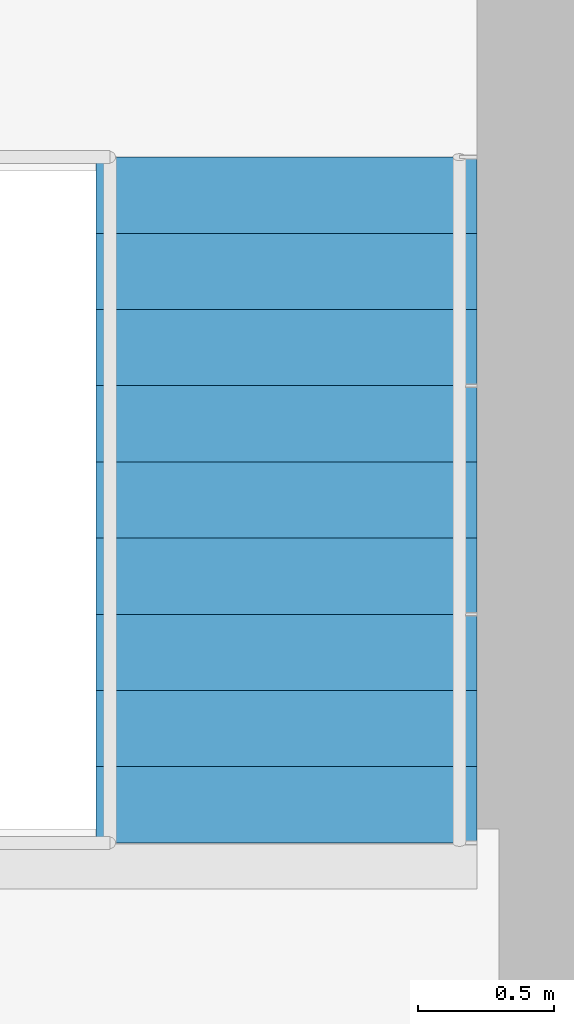
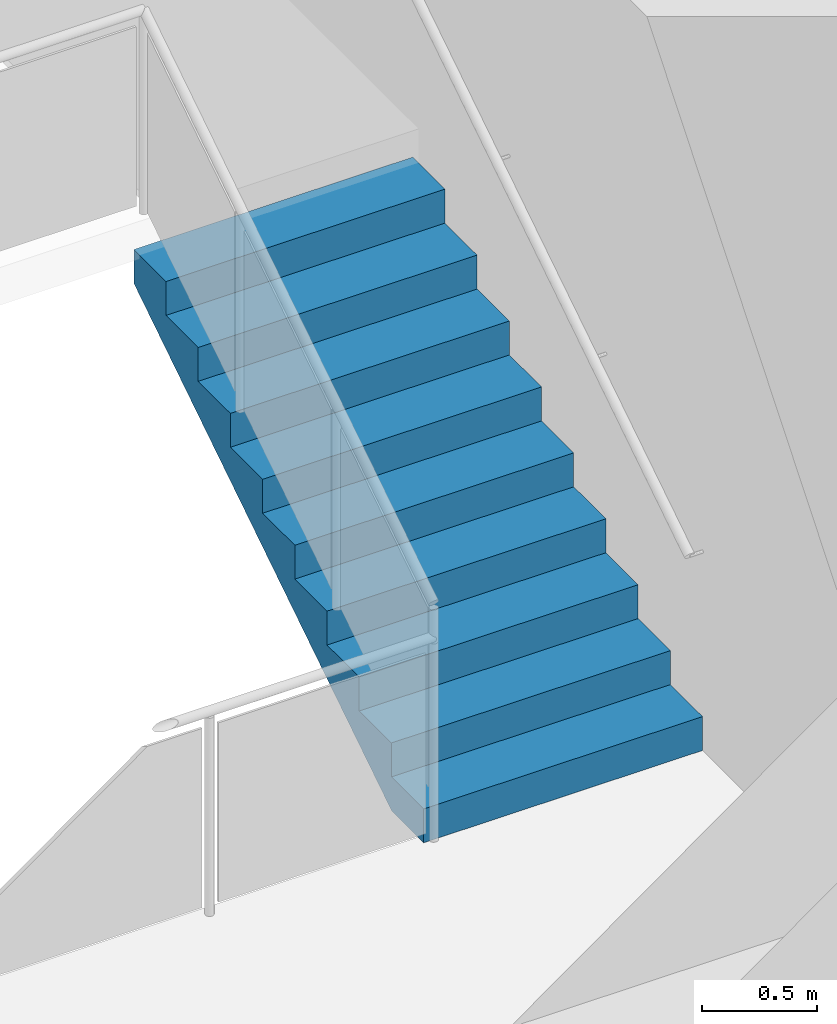
# One storey, part 13 of 15: 1 stair flight, 1 element without a shape of its own.
"""IFC4 building model written with IfcOpenShell, lengths in metres."""

from ifc_helpers import new_model, si_unit, direction, frame, origin, place, context, subcontext, project, spatial, polyline, outline, extrude, material, type_object, element, aggregate, save


model = new_model("IFC4")

# Units and contexts
model_context = context("Model", 3, precision=1e-05, world=origin(), true_north=direction((0.0, 1.0)))
body_context = subcontext(model_context, "Body", "Model", "MODEL_VIEW")
ifc_project = project(units=[si_unit("LENGTHUNIT", "METRE"), si_unit("AREAUNIT", "SQUARE_METRE"), si_unit("VOLUMEUNIT", "CUBIC_METRE"), si_unit("PLANEANGLEUNIT", "RADIAN"), si_unit("MASSUNIT", "GRAM", prefix="KILO")], contexts=[model_context])

# Site, building, storey
site_placement = place(None, origin())
site = spatial("IfcSite", under=ifc_project, at=site_placement, CompositionType="ELEMENT")
building_placement = place(site_placement, origin())
building = spatial("IfcBuilding", under=site, at=building_placement, Name="Torre Alcanfor", CompositionType="ELEMENT")
storey_placement = place(building_placement, frame((0.0, 0.0, 119.699951171875)))
storey = spatial("IfcBuildingStorey", under=building, at=storey_placement, Name="L30", CompositionType="ELEMENT", Elevation=119.699951171875)

# Stair, stair flight
ifc_material_1 = material(Name="Concrete f'c 35 MPa", Category="concrete")
stair_type = type_object("IfcStairType", Name="Exit stair S2 1400 wide", PredefinedType="HALF_TURN_STAIR", material=ifc_material_1)
stair_placement = place(storey_placement, origin())
stair = element("IfcStair", 1, at=stair_placement, inside=storey, type_object=stair_type, Name="Stair S2 L30 to L31", PredefinedType="HALF_TURN_STAIR")
ifc_material_2 = material(Name="Concrete f'c 35 MPa", Category="concrete")
stair_flight_type = type_object("IfcStairFlightType", Name="Stair flight 1400", PredefinedType="STRAIGHT", material=ifc_material_2)
stair_flight_placement = place(storey_placement, frame((36.64990234375, 31.0, 0.0), z_axis=(0.0, 0.0, 1.0), x_axis=(0.0, 1.0, 0.0)))
stair_flight = element("IfcStairFlight", 2, at=stair_flight_placement, type_object=stair_flight_type, Name="S2 flight 1", NumberOfRisers=10, NumberOfTreads=9, PredefinedType="STRAIGHT", RiserHeight=0.18, TreadLength=0.28, context=body_context, shape_type="SweptSolid", body=[
    extrude(outline(polyline([(0.0, 0.0), (0.0, 0.179931640625), (0.280029296875, 0.179931640625), (0.280029296875, 0.360107421875), (0.56005859375, 0.360107421875), (0.56005859375, 0.5400390625), (0.840087890625, 0.5400390625), (0.840087890625, 0.719970703125), (1.1201171875, 0.719970703125), (1.1201171875, 0.89990234375), (1.39990234375, 0.89990234375), (1.39990234375, 1.080078125), (1.679931640625, 1.080078125), (1.679931640625, 1.260009765625), (1.9599609375, 1.260009765625), (1.9599609375, 1.43994140625), (2.239990234375, 1.43994140625), (2.239990234375, 1.6201171875), (2.52001953125, 1.6201171875), (2.52001953125, 1.800048828125), (2.52001953125, 1.44189453125), (0.277099609375, 0.0), (0.0, 0.0)])), frame((0.0, 0.699951171875, 0.0), z_axis=(0.0, -1.0, 0.0), x_axis=(1.0, 0.0, 0.0)), (0.0, 0.0, 1.0), 1.39990234375),
])
aggregate(stair, [stair_flight])

save(model, "model.ifc")
